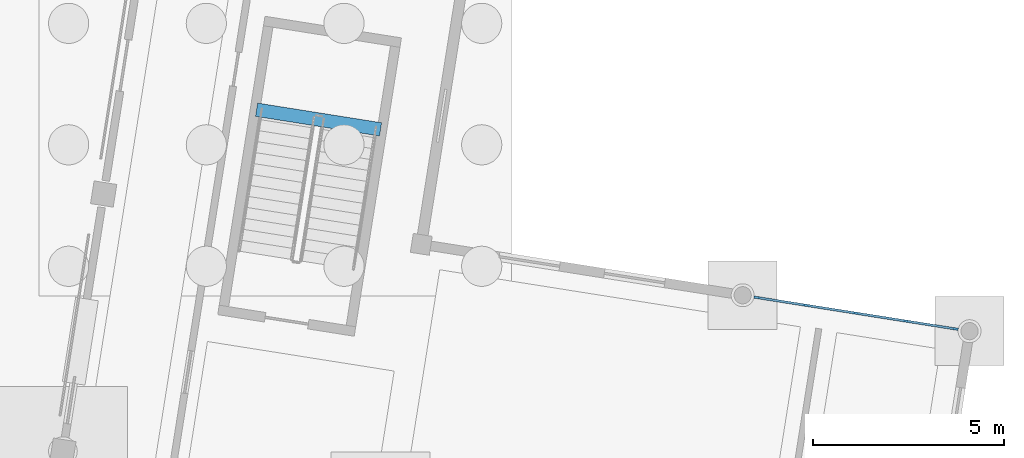
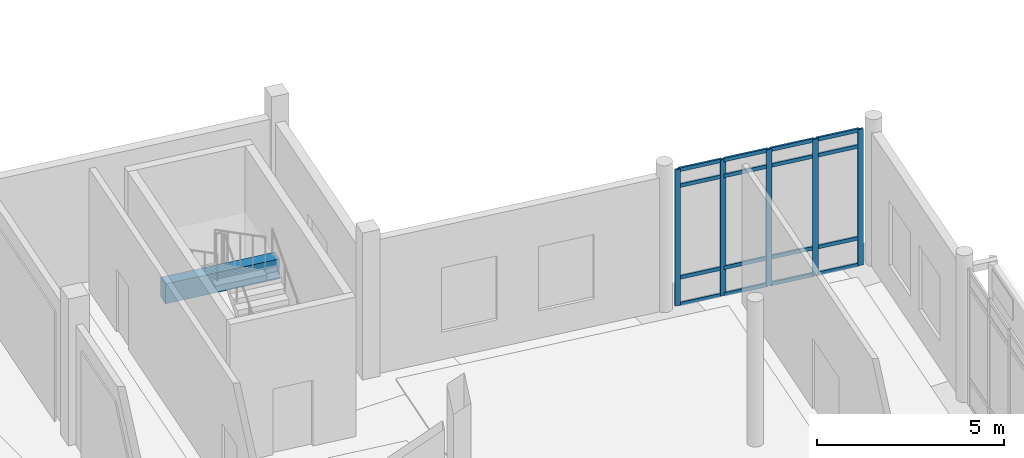
# One storey, part 28 of 72: 21 members, 1 beam, 1 element without a shape of its own.
"""IFC4 building model written with IfcOpenShell, lengths in metres."""

from ifc_helpers import new_model, si_unit, direction, frame, origin, origin_2d, place, context, subcontext, project, spatial, rectangle, extrude, material, material_profile, profile_set, type_object, element, aggregate, save


model = new_model("IFC4")

# Units and contexts
model_context = context("Model", 3, precision=1e-05, world=origin(), true_north=direction((0.0, 1.0)))
body_context = subcontext(model_context, "Body", "Model", "MODEL_VIEW")
ifc_project = project(units=[si_unit("LENGTHUNIT", "METRE"), si_unit("AREAUNIT", "SQUARE_METRE"), si_unit("VOLUMEUNIT", "CUBIC_METRE"), si_unit("PLANEANGLEUNIT", "RADIAN"), si_unit("MASSUNIT", "GRAM", prefix="KILO")], contexts=[model_context])

# Site, building, storey
site_placement = place(None, origin())
site = spatial("IfcSite", under=ifc_project, at=site_placement, CompositionType="ELEMENT")
building_placement = place(site_placement, origin())
building = spatial("IfcBuilding", under=site, at=building_placement, Name="Cinderway Yard Community Centre", CompositionType="ELEMENT")
storey_placement = place(building_placement, origin())
storey = spatial("IfcBuildingStorey", under=building, at=storey_placement, Name="L00", CompositionType="ELEMENT", Elevation=0.0)

# Curtain wall, members
ifc_material_1 = material(Name="Aluminium 6063-T6", Category="aluminium")
curtain_wall_type = type_object("IfcCurtainWallType", Name="ENV-CW-TYPE-22", PredefinedType="USERDEFINED", material=ifc_material_1)
curtain_wall_placement = place(storey_placement, origin())
curtain_wall = element("IfcCurtainWall", 1, at=curtain_wall_placement, inside=storey, type_object=curtain_wall_type, Name="East Entrance Pavilion Curtain Wall ENV-CW-L00-ST-0071", ObjectType="GLAZED CURTAIN WALL", PredefinedType="USERDEFINED")
ifc_material_profile_1 = material_profile(ifc_material_1, rectangle(XDim=0.06005859375, YDim=0.159912109375, at=origin_2d()), Name="Aluminium 6063-T6")
ifc_profile_set_1 = profile_set([ifc_material_profile_1], Name="Aluminium 6063-T6")
member_type_1 = type_object("IfcMemberType", Name="ENV-CW-MULL-150", PredefinedType="MULLION", material=ifc_profile_set_1)
member_1_placement = place(storey_placement, frame((160.65673828125, 58.7822265625, 0.0), z_axis=(0.0, 0.0, 1.0), x_axis=(0.156253284735, 0.987717019702, 0.0)))
member_1 = element("IfcMember", 2, at=member_1_placement, type_object=member_type_1, Name="CW-22 mullion 1", PredefinedType="MULLION", context=body_context, shape_type="SweptSolid", body=[
    extrude(rectangle(XDim=0.06005859375, YDim=0.159912109375, at=origin_2d()), origin(), (0.0, 0.0, 1.0), 4.449951171875),
])
member_2_placement = place(storey_placement, frame((161.935546875, 58.580078125, 0.0), z_axis=(0.0, 0.0, 1.0), x_axis=(0.156253284735, 0.987717019702, 0.0)))
member_2 = element("IfcMember", 3, at=member_2_placement, type_object=member_type_1, Name="CW-22 mullion 2", PredefinedType="MULLION", context=body_context, shape_type="SweptSolid", body=[
    extrude(rectangle(XDim=0.06005859375, YDim=0.159912109375, at=origin_2d()), origin(), (0.0, 0.0, 1.0), 4.449951171875),
])
member_3_placement = place(storey_placement, frame((163.243896484375, 58.373046875, 0.0), z_axis=(0.0, 0.0, 1.0), x_axis=(0.156253284735, 0.987717019702, 0.0)))
member_3 = element("IfcMember", 4, at=member_3_placement, type_object=member_type_1, Name="CW-22 mullion 3", PredefinedType="MULLION", context=body_context, shape_type="SweptSolid", body=[
    extrude(rectangle(XDim=0.06005859375, YDim=0.159912109375, at=origin_2d()), origin(), (0.0, 0.0, 1.0), 4.449951171875),
])
member_4_placement = place(storey_placement, frame((164.552490234375, 58.166015625, 0.0), z_axis=(0.0, 0.0, 1.0), x_axis=(0.156253284735, 0.987717019702, 0.0)))
member_4 = element("IfcMember", 5, at=member_4_placement, type_object=member_type_1, Name="CW-22 mullion 4", PredefinedType="MULLION", context=body_context, shape_type="SweptSolid", body=[
    extrude(rectangle(XDim=0.06005859375, YDim=0.159912109375, at=origin_2d()), origin(), (0.0, 0.0, 1.0), 4.449951171875),
])
member_5_placement = place(storey_placement, frame((165.831298828125, 57.963623046875, 0.0), z_axis=(0.0, 0.0, 1.0), x_axis=(0.156253284735, 0.987717019702, 0.0)))
member_5 = element("IfcMember", 6, at=member_5_placement, type_object=member_type_1, Name="CW-22 mullion 5", PredefinedType="MULLION", context=body_context, shape_type="SweptSolid", body=[
    extrude(rectangle(XDim=0.06005859375, YDim=0.159912109375, at=origin_2d()), origin(), (0.0, 0.0, 1.0), 4.449951171875),
])
ifc_material_profile_2 = material_profile(ifc_material_1, rectangle(XDim=0.06005859375, YDim=0.1201171875, at=origin_2d()), Name="Aluminium 6063-T6")
ifc_profile_set_2 = profile_set([ifc_material_profile_2], Name="Aluminium 6063-T6")
member_type_2 = type_object("IfcMemberType", Name="ENV-CW-TRAN-110", PredefinedType="USERDEFINED", material=ifc_profile_set_2)
member_6_placement = place(storey_placement, frame((160.686279296875, 58.777587890625, 0.030029296875), z_axis=(0.987722849807, -0.156216426696, 0.0), x_axis=(0.156216426696, 0.987722849807, 0.0)))
member_6 = element("IfcMember", 7, at=member_6_placement, type_object=member_type_2, Name="CW-22 transom 1.1", ObjectType="TRANSOM", PredefinedType="USERDEFINED", context=body_context, shape_type="SweptSolid", body=[
    extrude(rectangle(XDim=0.06005859375, YDim=0.1201171875, at=origin_2d()), origin(), (0.0, 0.0, 1.0), 1.234619140625),
])
member_7_placement = place(storey_placement, frame((160.686279296875, 58.777587890625, 0.89990234375), z_axis=(0.987722849807, -0.156216426696, 0.0), x_axis=(0.156216426696, 0.987722849807, 0.0)))
member_7 = element("IfcMember", 8, at=member_7_placement, type_object=member_type_2, Name="CW-22 transom 1.2", ObjectType="TRANSOM", PredefinedType="USERDEFINED", context=body_context, shape_type="SweptSolid", body=[
    extrude(rectangle(XDim=0.06005859375, YDim=0.1201171875, at=origin_2d()), origin(), (0.0, 0.0, 1.0), 1.234619140625),
])
member_8_placement = place(storey_placement, frame((160.686279296875, 58.777587890625, 3.89990234375), z_axis=(0.987722849807, -0.156216426696, 0.0), x_axis=(0.156216426696, 0.987722849807, 0.0)))
member_8 = element("IfcMember", 9, at=member_8_placement, type_object=member_type_2, Name="CW-22 transom 1.3", ObjectType="TRANSOM", PredefinedType="USERDEFINED", context=body_context, shape_type="SweptSolid", body=[
    extrude(rectangle(XDim=0.06005859375, YDim=0.1201171875, at=origin_2d()), origin(), (0.0, 0.0, 1.0), 1.234619140625),
])
member_9_placement = place(storey_placement, frame((160.686279296875, 58.777587890625, 4.419921875), z_axis=(0.987722849807, -0.156216426696, 0.0), x_axis=(0.156216426696, 0.987722849807, 0.0)))
member_9 = element("IfcMember", 10, at=member_9_placement, type_object=member_type_2, Name="CW-22 transom 1.4", ObjectType="TRANSOM", PredefinedType="USERDEFINED", context=body_context, shape_type="SweptSolid", body=[
    extrude(rectangle(XDim=0.06005859375, YDim=0.1201171875, at=origin_2d()), origin(), (0.0, 0.0, 1.0), 1.234619140625),
])
member_10_placement = place(storey_placement, frame((161.965087890625, 58.5751953125, 0.030029296875), z_axis=(0.987731643363, -0.156160816783, 0.0), x_axis=(0.156160816783, 0.987731643363, 0.0)))
member_10 = element("IfcMember", 11, at=member_10_placement, type_object=member_type_2, Name="CW-22 transom 2.1", ObjectType="TRANSOM", PredefinedType="USERDEFINED", context=body_context, shape_type="SweptSolid", body=[
    extrude(rectangle(XDim=0.06005859375, YDim=0.1201171875, at=origin_2d()), origin(), (0.0, 0.0, 1.0), 1.264892578125),
])
member_11_placement = place(storey_placement, frame((161.965087890625, 58.5751953125, 0.89990234375), z_axis=(0.987731643363, -0.156160816783, 0.0), x_axis=(0.156160816783, 0.987731643363, 0.0)))
member_11 = element("IfcMember", 12, at=member_11_placement, type_object=member_type_2, Name="CW-22 transom 2.2", ObjectType="TRANSOM", PredefinedType="USERDEFINED", context=body_context, shape_type="SweptSolid", body=[
    extrude(rectangle(XDim=0.06005859375, YDim=0.1201171875, at=origin_2d()), origin(), (0.0, 0.0, 1.0), 1.264892578125),
])
member_12_placement = place(storey_placement, frame((161.965087890625, 58.5751953125, 3.89990234375), z_axis=(0.987731643363, -0.156160816783, 0.0), x_axis=(0.156160816783, 0.987731643363, 0.0)))
member_12 = element("IfcMember", 13, at=member_12_placement, type_object=member_type_2, Name="CW-22 transom 2.3", ObjectType="TRANSOM", PredefinedType="USERDEFINED", context=body_context, shape_type="SweptSolid", body=[
    extrude(rectangle(XDim=0.06005859375, YDim=0.1201171875, at=origin_2d()), origin(), (0.0, 0.0, 1.0), 1.264892578125),
])
member_13_placement = place(storey_placement, frame((161.965087890625, 58.5751953125, 4.419921875), z_axis=(0.987731643363, -0.156160816783, 0.0), x_axis=(0.156160816783, 0.987731643363, 0.0)))
member_13 = element("IfcMember", 14, at=member_13_placement, type_object=member_type_2, Name="CW-22 transom 2.4", ObjectType="TRANSOM", PredefinedType="USERDEFINED", context=body_context, shape_type="SweptSolid", body=[
    extrude(rectangle(XDim=0.06005859375, YDim=0.1201171875, at=origin_2d()), origin(), (0.0, 0.0, 1.0), 1.264892578125),
])
member_14_placement = place(storey_placement, frame((163.273681640625, 58.368408203125, 0.030029296875), z_axis=(0.987701852488, -0.15634913045, 0.0), x_axis=(0.15634913045, 0.987701852488, 0.0)))
member_14 = element("IfcMember", 15, at=member_14_placement, type_object=member_type_2, Name="CW-22 transom 3.1", ObjectType="TRANSOM", PredefinedType="USERDEFINED", context=body_context, shape_type="SweptSolid", body=[
    extrude(rectangle(XDim=0.06005859375, YDim=0.1201171875, at=origin_2d()), origin(), (0.0, 0.0, 1.0), 1.264892578125),
])
member_15_placement = place(storey_placement, frame((163.273681640625, 58.368408203125, 0.89990234375), z_axis=(0.987701852488, -0.15634913045, 0.0), x_axis=(0.15634913045, 0.987701852488, 0.0)))
member_15 = element("IfcMember", 16, at=member_15_placement, type_object=member_type_2, Name="CW-22 transom 3.2", ObjectType="TRANSOM", PredefinedType="USERDEFINED", context=body_context, shape_type="SweptSolid", body=[
    extrude(rectangle(XDim=0.06005859375, YDim=0.1201171875, at=origin_2d()), origin(), (0.0, 0.0, 1.0), 1.264892578125),
])
member_16_placement = place(storey_placement, frame((163.273681640625, 58.368408203125, 3.89990234375), z_axis=(0.987701852488, -0.15634913045, 0.0), x_axis=(0.15634913045, 0.987701852488, 0.0)))
member_16 = element("IfcMember", 17, at=member_16_placement, type_object=member_type_2, Name="CW-22 transom 3.3", ObjectType="TRANSOM", PredefinedType="USERDEFINED", context=body_context, shape_type="SweptSolid", body=[
    extrude(rectangle(XDim=0.06005859375, YDim=0.1201171875, at=origin_2d()), origin(), (0.0, 0.0, 1.0), 1.264892578125),
])
member_17_placement = place(storey_placement, frame((163.273681640625, 58.368408203125, 4.419921875), z_axis=(0.987701852488, -0.15634913045, 0.0), x_axis=(0.15634913045, 0.987701852488, 0.0)))
member_17 = element("IfcMember", 18, at=member_17_placement, type_object=member_type_2, Name="CW-22 transom 3.4", ObjectType="TRANSOM", PredefinedType="USERDEFINED", context=body_context, shape_type="SweptSolid", body=[
    extrude(rectangle(XDim=0.06005859375, YDim=0.1201171875, at=origin_2d()), origin(), (0.0, 0.0, 1.0), 1.264892578125),
])
member_18_placement = place(storey_placement, frame((164.58203125, 58.161376953125, 0.030029296875), z_axis=(0.98769715654, -0.156378793199, 0.0), x_axis=(0.156378793199, 0.98769715654, 0.0)))
member_18 = element("IfcMember", 19, at=member_18_placement, type_object=member_type_2, Name="CW-22 transom 4.1", ObjectType="TRANSOM", PredefinedType="USERDEFINED", context=body_context, shape_type="SweptSolid", body=[
    extrude(rectangle(XDim=0.06005859375, YDim=0.1201171875, at=origin_2d()), origin(), (0.0, 0.0, 1.0), 1.23486328125),
])
member_19_placement = place(storey_placement, frame((164.58203125, 58.161376953125, 0.89990234375), z_axis=(0.98769715654, -0.156378793199, 0.0), x_axis=(0.156378793199, 0.98769715654, 0.0)))
member_19 = element("IfcMember", 20, at=member_19_placement, type_object=member_type_2, Name="CW-22 transom 4.2", ObjectType="TRANSOM", PredefinedType="USERDEFINED", context=body_context, shape_type="SweptSolid", body=[
    extrude(rectangle(XDim=0.06005859375, YDim=0.1201171875, at=origin_2d()), origin(), (0.0, 0.0, 1.0), 1.23486328125),
])
member_20_placement = place(storey_placement, frame((164.58203125, 58.161376953125, 3.89990234375), z_axis=(0.98769715654, -0.156378793199, 0.0), x_axis=(0.156378793199, 0.98769715654, 0.0)))
member_20 = element("IfcMember", 21, at=member_20_placement, type_object=member_type_2, Name="CW-22 transom 4.3", ObjectType="TRANSOM", PredefinedType="USERDEFINED", context=body_context, shape_type="SweptSolid", body=[
    extrude(rectangle(XDim=0.06005859375, YDim=0.1201171875, at=origin_2d()), origin(), (0.0, 0.0, 1.0), 1.23486328125),
])
member_21_placement = place(storey_placement, frame((164.58203125, 58.161376953125, 4.419921875), z_axis=(0.98769715654, -0.156378793199, 0.0), x_axis=(0.156378793199, 0.98769715654, 0.0)))
member_21 = element("IfcMember", 22, at=member_21_placement, type_object=member_type_2, Name="CW-22 transom 4.4", ObjectType="TRANSOM", PredefinedType="USERDEFINED", context=body_context, shape_type="SweptSolid", body=[
    extrude(rectangle(XDim=0.06005859375, YDim=0.1201171875, at=origin_2d()), origin(), (0.0, 0.0, 1.0), 1.23486328125),
])
aggregate(curtain_wall, [member_1, member_2, member_3, member_4, member_5, member_6, member_7, member_8, member_9, member_10, member_11, member_12, member_13, member_14, member_15, member_16, member_17, member_18, member_19, member_20, member_21])

# Beam
ifc_material_2 = material(Name="Concrete C35/45", Category="concrete")
ifc_material_profile_3 = material_profile(ifc_material_2, rectangle(XDim=0.35009765625, YDim=0.64990234375, at=origin_2d()), Name="Concrete C35/45")
ifc_profile_set_3 = profile_set([ifc_material_profile_3], Name="Concrete C35/45")
beam_type = type_object("IfcBeamType", Name="STR-BM-RC350X650", PredefinedType="BEAM", material=ifc_profile_set_3)
beam_placement = place(storey_placement, frame((150.822021484375, 63.175048828125, 2.074951171875), z_axis=(-0.987645588872, 0.156704150492, 0.0), x_axis=(-0.156704150492, -0.987645588872, 0.0)))
element("IfcBeam", 23, at=beam_placement, inside=storey, type_object=beam_type, Name="Stair half-landing trimmer C4B L00", PredefinedType="BEAM", context=body_context, shape_type="SweptSolid", body=[
    extrude(rectangle(XDim=0.35009765625, YDim=0.64990234375, at=origin_2d()), origin(), (0.0, 0.0, 1.0), 3.279541015625),
])

save(model, "model.ifc")
